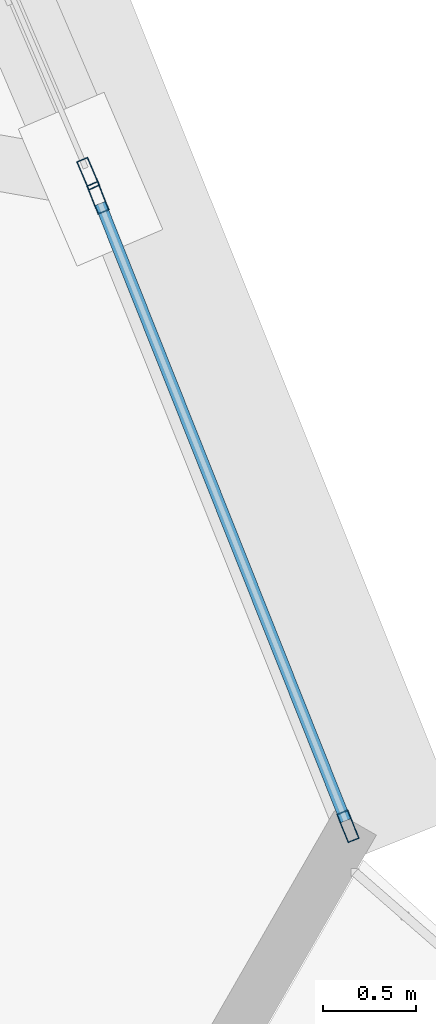
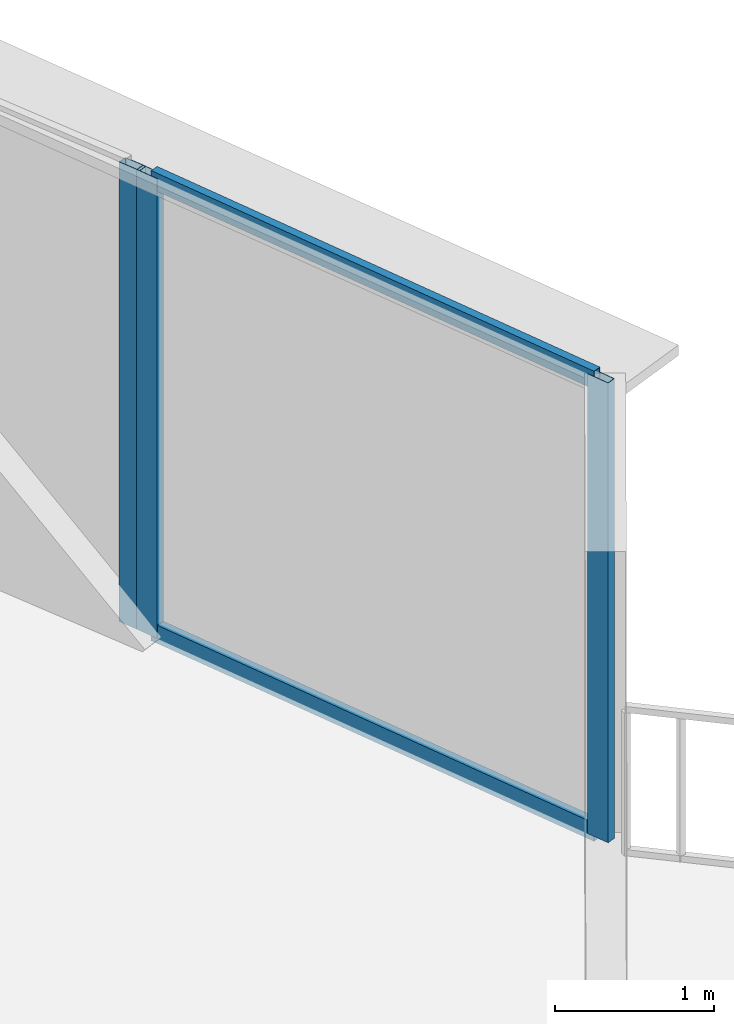
# One storey, part 22 of 38: 5 members, 2 elements without a shape of their own.
"""IFC4 building model written with IfcOpenShell, lengths in metres."""

from ifc_helpers import new_model, si_unit, direction, frame, origin, origin_2d, place, context, subcontext, project, spatial, hollow_rectangle, extrude, source, transform, mapped, material, layer, layer_set, material_profile, profile_set, type_object, element, aggregate, save


model = new_model("IFC4")

# Units and contexts
model_context = context("Model", 3, precision=1e-05, world=origin(), true_north=direction((0.0, 1.0)))
body_context = subcontext(model_context, "Body", "Model", "MODEL_VIEW")
ifc_project = project(units=[si_unit("LENGTHUNIT", "METRE"), si_unit("AREAUNIT", "SQUARE_METRE"), si_unit("VOLUMEUNIT", "CUBIC_METRE"), si_unit("PLANEANGLEUNIT", "RADIAN"), si_unit("MASSUNIT", "GRAM", prefix="KILO"), si_unit("THERMODYNAMICTEMPERATUREUNIT", "KELVIN"), si_unit("POWERUNIT", "WATT")], contexts=[model_context])

# Site, building, storey
site_placement = place(None, origin())
site = spatial("IfcSite", under=ifc_project, at=site_placement, CompositionType="ELEMENT")
building_placement = place(site_placement, origin())
building = spatial("IfcBuilding", under=site, at=building_placement, Name="Yunzhuo Pagoda Commons", CompositionType="ELEMENT")
storey_placement = place(building_placement, frame((0.0, 0.0, 81.179931640625)))
storey = spatial("IfcBuildingStorey", under=building, at=storey_placement, Name="L20", CompositionType="ELEMENT", Elevation=81.179931640625)

# Curtain wall, member
ifc_material = material(Name="Anodized aluminium 6063-T6", Category="aluminium")
ifc_layer = layer(ifc_material, 0.1650390625)
ifc_layer_set = layer_set([ifc_layer], Name="Anodized aluminium 6063-T6")
curtain_wall_type = type_object("IfcCurtainWallType", Name="CW-LOW Low-Zone Ribbon Curtain Wall", PredefinedType="NOTDEFINED", material=ifc_layer_set)
curtain_wall_1_placement = place(storey_placement, origin())
curtain_wall_1 = element("IfcCurtainWall", 1, at=curtain_wall_1_placement, inside=storey, type_object=curtain_wall_type, Name="L20 curtain wall CW-L20-F2B2", PredefinedType="NOTDEFINED")
ifc_material_profile_1 = material_profile(ifc_material, hollow_rectangle(XDim=0.06494140625, YDim=0.1650390625, WallThickness=0.00390625, at=origin_2d()), Name="Anodized aluminium 6063-T6")
ifc_profile_set_1 = profile_set([ifc_material_profile_1], Name="Anodized aluminium 6063-T6")
member_type_1 = type_object("IfcMemberType", Name="CW-LOW-M Mullion RHS 165x65x4", PredefinedType="MULLION", material=ifc_profile_set_1)
shared_shape_1 = source(origin(), body_context, "Body", "SweptSolid", [
    extrude(hollow_rectangle(XDim=0.06494140625, YDim=0.1650390625, WallThickness=0.00390625, at=origin_2d()), origin(), (0.0, 0.0, 1.0), 3.5400390625),
])
member_1_placement = place(storey_placement, frame((88.730224609375, 26.545654296875, 0.0), z_axis=(0.0, 0.0, 1.0), x_axis=(-0.919250024103, -0.39367422215, 0.0)))
member_1 = element("IfcMember", 2, at=member_1_placement, type_object=member_type_1, Name="CW mullion 1", PredefinedType="MULLION", context=body_context, shape_type="MappedRepresentation", body=[
    mapped(shared_shape_1, transform((0.0, 0.0, 0.0), scale=1.0)),
])
aggregate(curtain_wall_1, [member_1])

# Curtain wall, members
curtain_wall_2_placement = place(storey_placement, origin())
curtain_wall_2 = element("IfcCurtainWall", 3, at=curtain_wall_2_placement, inside=storey, type_object=curtain_wall_type, Name="L20 curtain wall CW-L20-F2B1", PredefinedType="NOTDEFINED")
member_2_placement = place(storey_placement, frame((90.12255859375, 23.0478515625, 0.0), z_axis=(0.0, 0.0, 1.0), x_axis=(-0.929170333828, -0.369651850711, 0.0)))
member_2 = element("IfcMember", 4, at=member_2_placement, type_object=member_type_1, Name="CW mullion 1", PredefinedType="MULLION", context=body_context, shape_type="MappedRepresentation", body=[
    mapped(shared_shape_1, transform((0.0, 0.0, 0.0), scale=1.0)),
])
member_3_placement = place(storey_placement, frame((88.782470703125, 26.416015625, 0.0), z_axis=(0.0, 0.0, 1.0), x_axis=(-0.929170333828, -0.369651850711, 0.0)))
member_3 = element("IfcMember", 5, at=member_3_placement, type_object=member_type_1, Name="CW mullion 2", PredefinedType="MULLION", context=body_context, shape_type="MappedRepresentation", body=[
    mapped(shared_shape_1, transform((0.0, 0.0, 0.0), scale=1.0)),
])
ifc_material_profile_2 = material_profile(ifc_material, hollow_rectangle(XDim=0.06005859375, YDim=0.139892578125, WallThickness=0.00341796875, at=origin_2d()), Name="Anodized aluminium 6063-T6")
ifc_profile_set_2 = profile_set([ifc_material_profile_2], Name="Anodized aluminium 6063-T6")
member_type_2 = type_object("IfcMemberType", Name="CW-LOW-T Transom RHS 140x60x3.5", PredefinedType="USERDEFINED", material=ifc_profile_set_2)
shared_shape_2 = source(origin(), body_context, "Body", "SweptSolid", [
    extrude(hollow_rectangle(XDim=0.06005859375, YDim=0.139892578125, WallThickness=0.00341796875, at=origin_2d()), origin(), (0.0, 0.0, 1.0), 3.56005859375),
])
member_4_placement = place(storey_placement, frame((90.1103515625, 23.077880859375, 0.030029296875), z_axis=(-0.369640073305, 0.929175019147, 0.0), x_axis=(-0.929175019147, -0.369640073305, 0.0)))
member_4 = element("IfcMember", 6, at=member_4_placement, type_object=member_type_2, Name="CW transom 1.1", ObjectType="TRANSOM", PredefinedType="USERDEFINED", context=body_context, shape_type="MappedRepresentation", body=[
    mapped(shared_shape_2, transform((0.0, 0.0, 0.0), scale=1.0)),
])
member_5_placement = place(storey_placement, frame((90.1103515625, 23.077880859375, 3.510009765625), z_axis=(-0.369640073305, 0.929175019147, 0.0), x_axis=(-0.929175019147, -0.369640073305, 0.0)))
member_5 = element("IfcMember", 7, at=member_5_placement, type_object=member_type_2, Name="CW transom 1.2", ObjectType="TRANSOM", PredefinedType="USERDEFINED", context=body_context, shape_type="MappedRepresentation", body=[
    mapped(shared_shape_2, transform((0.0, 0.0, 0.0), scale=1.0)),
])
aggregate(curtain_wall_2, [member_2, member_3, member_4, member_5])

save(model, "model.ifc")
